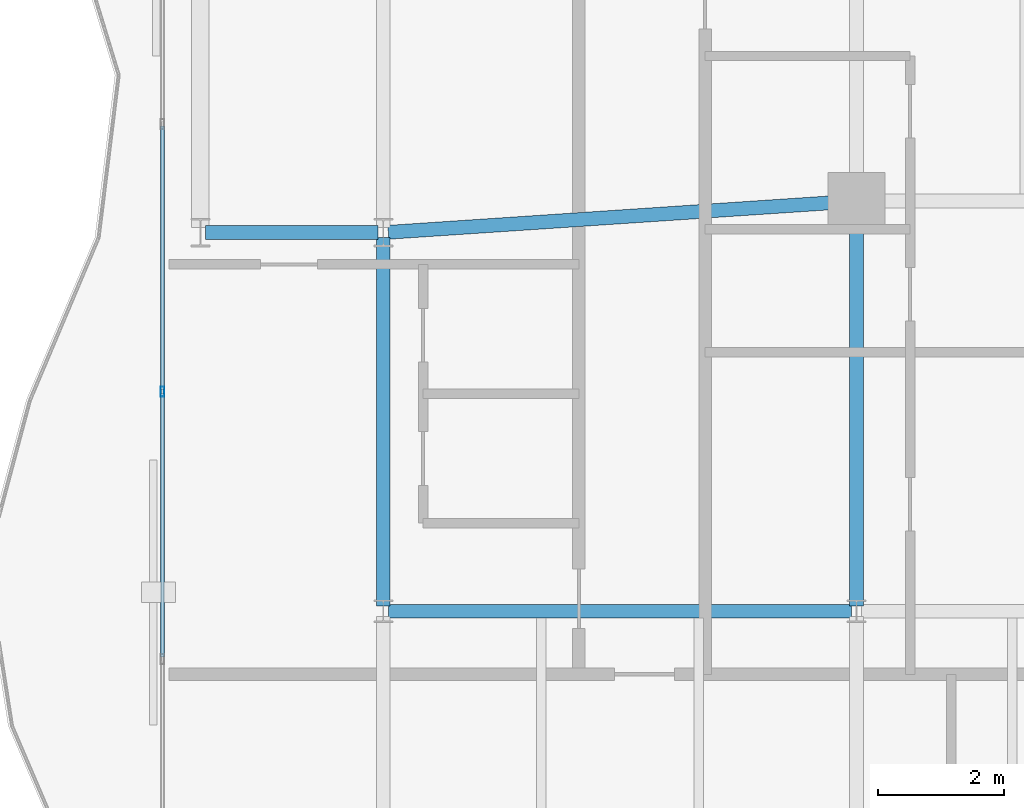
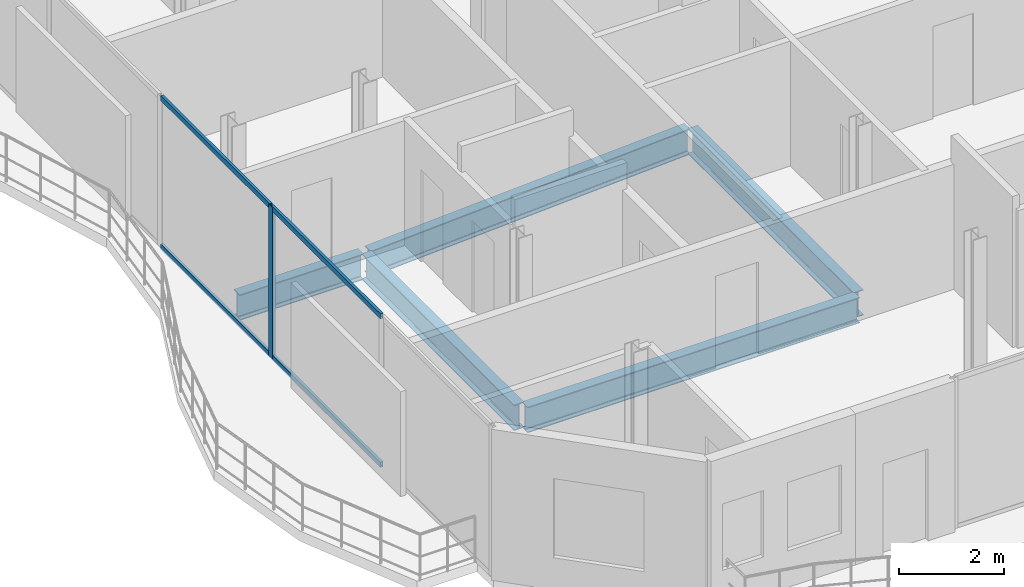
# One storey, part 6 of 22: 5 beams, 5 members, 1 element without a shape of its own.
"""IFC4 building model written with IfcOpenShell, lengths in metres."""

from ifc_helpers import new_model, si_unit, direction, frame, origin, origin_2d, place, context, subcontext, project, spatial, hollow_rectangle, i_section, extrude, material, layer, layer_set, material_profile, profile_set, type_object, element, aggregate, save


model = new_model("IFC4")

# Units and contexts
model_context = context("Model", 3, precision=1e-05, world=origin(), true_north=direction((0.0, 1.0)))
body_context = subcontext(model_context, "Body", "Model", "MODEL_VIEW")
ifc_project = project(units=[si_unit("LENGTHUNIT", "METRE"), si_unit("AREAUNIT", "SQUARE_METRE"), si_unit("VOLUMEUNIT", "CUBIC_METRE"), si_unit("PLANEANGLEUNIT", "RADIAN"), si_unit("MASSUNIT", "GRAM", prefix="KILO")], contexts=[model_context])

# Site, building, storey
site_placement = place(None, origin())
site = spatial("IfcSite", under=ifc_project, at=site_placement, CompositionType="ELEMENT")
building_placement = place(site_placement, origin())
building = spatial("IfcBuilding", under=site, at=building_placement, Name="Catumbela Crestline Tower", CompositionType="ELEMENT")
storey_placement = place(building_placement, frame((0.0, 0.0, 218.4)))
storey = spatial("IfcBuildingStorey", under=building, at=storey_placement, Name="L56", CompositionType="ELEMENT", Elevation=218.4)

# Beams
ifc_material_1 = material(Name="Structural steel S355J2", Category="steel")
ifc_material_profile_1 = material_profile(ifc_material_1, i_section(OverallWidth=0.22, OverallDepth=0.6, WebThickness=0.012, FlangeThickness=0.019, FilletRadius=0.024, at=origin_2d()), Name="IPE 600")
ifc_profile_set_1 = profile_set([ifc_material_profile_1], Name="Structural steel S355J2")
beam_type = type_object("IfcBeamType", Name="BG-IPE600", PredefinedType="BEAM", material=ifc_profile_set_1)
beam_1_placement = place(storey_placement, frame((5.68, 24.0, -0.56), z_axis=(1.0, 0.0, 0.0), x_axis=(0.0, 1.0, 0.0)))
element("IfcBeam", 1, at=beam_1_placement, inside=storey, type_object=beam_type, Name="L56 Beam BM-L56-S01", PredefinedType="BEAM", context=body_context, shape_type="SweptSolid", body=[
    extrude(i_section(OverallWidth=0.22, OverallDepth=0.6, WebThickness=0.012, FlangeThickness=0.019, FilletRadius=0.024, at=origin_2d()), origin(), (0.0, 0.0, 1.0), 2.74),
])
beam_2_placement = place(storey_placement, frame((8.5798, 24.0053, -0.56), z_axis=(0.997784796964, 0.066524423687, 0.0), x_axis=(-0.066524423687, 0.997784796964, 0.0)))
element("IfcBeam", 2, at=beam_2_placement, inside=storey, type_object=beam_type, Name="L56 Beam BM-L56-S02", PredefinedType="BEAM", context=body_context, shape_type="SweptSolid", body=[
    extrude(i_section(OverallWidth=0.22, OverallDepth=0.6, WebThickness=0.012, FlangeThickness=0.019, FilletRadius=0.024, at=origin_2d()), origin(), (0.0, 0.0, 1.0), 7.3567),
])
beam_3_placement = place(storey_placement, frame((8.58, 18.0, -0.56), z_axis=(1.0, 0.0, 0.0), x_axis=(0.0, 1.0, 0.0)))
element("IfcBeam", 3, at=beam_3_placement, inside=storey, type_object=beam_type, Name="L56 Beam BM-L56-WEW29", PredefinedType="BEAM", context=body_context, shape_type="SweptSolid", body=[
    extrude(i_section(OverallWidth=0.22, OverallDepth=0.6, WebThickness=0.012, FlangeThickness=0.019, FilletRadius=0.024, at=origin_2d()), origin(), (0.0, 0.0, 1.0), 7.34),
])
beam_4_placement = place(storey_placement, frame((8.5, 18.08, -0.56), z_axis=(0.0, 1.0, 0.0), x_axis=(-1.0, 0.0, 0.0)))
element("IfcBeam", 4, at=beam_4_placement, inside=storey, type_object=beam_type, Name="L56 Beam BM-L56-WNS32", PredefinedType="BEAM", context=body_context, shape_type="SweptSolid", body=[
    extrude(i_section(OverallWidth=0.22, OverallDepth=0.6, WebThickness=0.012, FlangeThickness=0.019, FilletRadius=0.024, at=origin_2d()), origin(), (0.0, 0.0, 1.0), 5.84),
])
beam_5_placement = place(storey_placement, frame((16.0, 18.08, -0.56), z_axis=(0.0, 1.0, 0.0), x_axis=(-1.0, 0.0, 0.0)))
element("IfcBeam", 5, at=beam_5_placement, inside=storey, type_object=beam_type, Name="L56 Beam BM-L56-WNS34", PredefinedType="BEAM", context=body_context, shape_type="SweptSolid", body=[
    extrude(i_section(OverallWidth=0.22, OverallDepth=0.6, WebThickness=0.012, FlangeThickness=0.019, FilletRadius=0.024, at=origin_2d()), origin(), (0.0, 0.0, 1.0), 6.34),
])

# Curtain wall, members
ifc_material_2 = material(Name="Aluminium alloy AW-6060-T66", Category="aluminium")
ifc_layer = layer(ifc_material_2, 0.18, Name="Aluminium alloy AW-6060-T66")
ifc_layer_set = layer_set([ifc_layer], Name="Aluminium alloy AW-6060-T66")
curtain_wall_type = type_object("IfcCurtainWallType", Name="CWU-Z4", PredefinedType="USERDEFINED", material=ifc_layer_set)
curtain_wall_placement = place(storey_placement, origin())
curtain_wall = element("IfcCurtainWall", 6, at=curtain_wall_placement, inside=storey, type_object=curtain_wall_type, Name="L56 Unitised Curtain Wall CW-L56-E9S2", ObjectType="UNITISED", PredefinedType="USERDEFINED")
ifc_material_profile_2 = material_profile(ifc_material_2, hollow_rectangle(XDim=0.06, YDim=0.16, WallThickness=0.004, at=origin_2d()), Name="ALU 160x60x4")
ifc_profile_set_2 = profile_set([ifc_material_profile_2], Name="Aluminium alloy AW-6060-T66")
member_type_1 = type_object("IfcMemberType", Name="MUL-160X60", PredefinedType="MULLION", material=ifc_profile_set_2)
member_1_placement = place(storey_placement, frame((5.0, 21.48, 0.0), z_axis=(0.0, 0.0, 1.0), x_axis=(1.0, 0.0, 0.0)))
member_1 = element("IfcMember", 7, at=member_1_placement, type_object=member_type_1, Name="CWU-Z4 mullion 4", PredefinedType="MULLION", context=body_context, shape_type="SweptSolid", body=[
    extrude(hollow_rectangle(XDim=0.06, YDim=0.16, WallThickness=0.004, at=origin_2d()), origin(), (0.0, 0.0, 1.0), 3.53),
])
ifc_material_profile_3 = material_profile(ifc_material_2, hollow_rectangle(XDim=0.06, YDim=0.12, WallThickness=0.0035, at=origin_2d()), Name="ALU 120x60x3.5")
ifc_profile_set_3 = profile_set([ifc_material_profile_3], Name="Aluminium alloy AW-6060-T66")
member_type_2 = type_object("IfcMemberType", Name="TRN-120X60", PredefinedType="USERDEFINED", material=ifc_profile_set_3)
member_2_placement = place(storey_placement, frame((5.0, 25.6875, 0.03), z_axis=(0.0, -1.0, 0.0), x_axis=(1.0, 0.0, 0.0)))
member_2 = element("IfcMember", 8, at=member_2_placement, type_object=member_type_2, Name="CWU-Z4 transom 3.1", ObjectType="TRANSOM", PredefinedType="USERDEFINED", context=body_context, shape_type="SweptSolid", body=[
    extrude(hollow_rectangle(XDim=0.06, YDim=0.12, WallThickness=0.0035, at=origin_2d()), origin(), (0.0, 0.0, 1.0), 4.175),
])
member_3_placement = place(storey_placement, frame((5.0, 25.6875, 3.5), z_axis=(0.0, -1.0, 0.0), x_axis=(1.0, 0.0, 0.0)))
member_3 = element("IfcMember", 9, at=member_3_placement, type_object=member_type_2, Name="CWU-Z4 transom 3.2", ObjectType="TRANSOM", PredefinedType="USERDEFINED", context=body_context, shape_type="SweptSolid", body=[
    extrude(hollow_rectangle(XDim=0.06, YDim=0.12, WallThickness=0.0035, at=origin_2d()), origin(), (0.0, 0.0, 1.0), 4.175),
])
member_4_placement = place(storey_placement, frame((5.0, 21.4475, 0.03), z_axis=(0.0, -1.0, 0.0), x_axis=(1.0, 0.0, 0.0)))
member_4 = element("IfcMember", 10, at=member_4_placement, type_object=member_type_2, Name="CWU-Z4 transom 4.1", ObjectType="TRANSOM", PredefinedType="USERDEFINED", context=body_context, shape_type="SweptSolid", body=[
    extrude(hollow_rectangle(XDim=0.06, YDim=0.12, WallThickness=0.0035, at=origin_2d()), origin(), (0.0, 0.0, 1.0), 4.175),
])
member_5_placement = place(storey_placement, frame((5.0, 21.4475, 3.5), z_axis=(0.0, -1.0, 0.0), x_axis=(1.0, 0.0, 0.0)))
member_5 = element("IfcMember", 11, at=member_5_placement, type_object=member_type_2, Name="CWU-Z4 transom 4.2", ObjectType="TRANSOM", PredefinedType="USERDEFINED", context=body_context, shape_type="SweptSolid", body=[
    extrude(hollow_rectangle(XDim=0.06, YDim=0.12, WallThickness=0.0035, at=origin_2d()), origin(), (0.0, 0.0, 1.0), 4.175),
])
aggregate(curtain_wall, [member_1, member_2, member_3, member_4, member_5])

save(model, "model.ifc")
